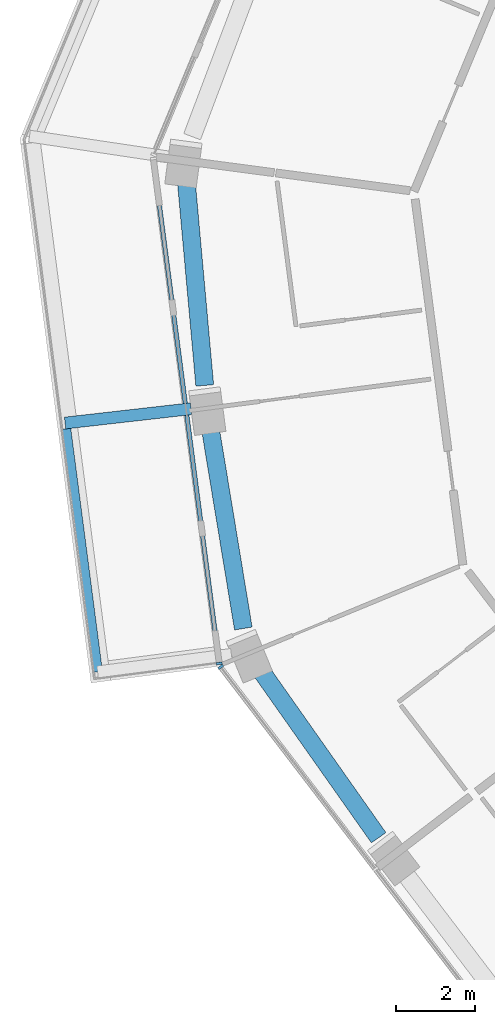
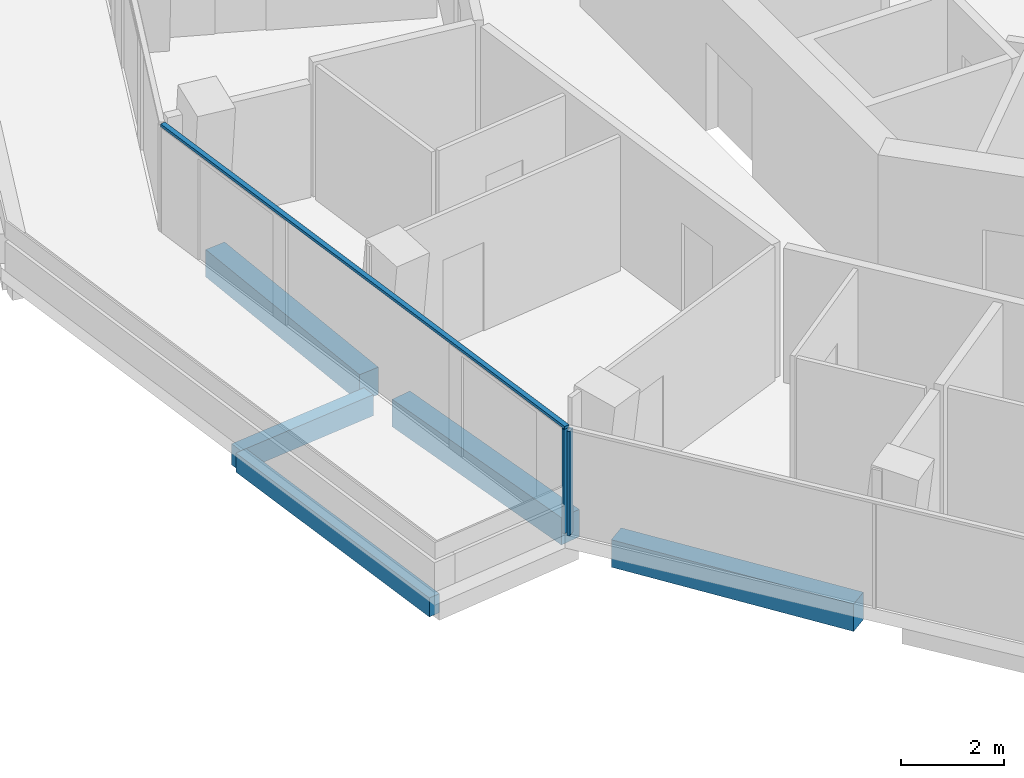
# One storey, part 4 of 25: 5 beams, 3 members, 2 elements without a shape of their own.
"""IFC4 building model written with IfcOpenShell, lengths in metres."""

from ifc_helpers import new_model, si_unit, direction, frame, origin, origin_2d, place, context, subcontext, project, spatial, rectangle, extrude, material, layer, layer_set, material_profile, profile_set, type_object, element, aggregate, save


model = new_model("IFC4")

# Units and contexts
model_context = context("Model", 3, precision=1e-05, world=origin(), true_north=direction((0.0, 1.0)))
body_context = subcontext(model_context, "Body", "Model", "MODEL_VIEW")
ifc_project = project(units=[si_unit("LENGTHUNIT", "METRE"), si_unit("AREAUNIT", "SQUARE_METRE"), si_unit("VOLUMEUNIT", "CUBIC_METRE"), si_unit("PLANEANGLEUNIT", "RADIAN"), si_unit("MASSUNIT", "GRAM", prefix="KILO")], contexts=[model_context])

# Site, building, storey
site_placement = place(None, origin())
site = spatial("IfcSite", under=ifc_project, at=site_placement, CompositionType="ELEMENT")
building_placement = place(site_placement, origin())
building = spatial("IfcBuilding", under=site, at=building_placement, Name="Verdalira Terraces Hotel", CompositionType="ELEMENT")
storey_placement = place(building_placement, frame((0.0, 0.0, 187.0)))
storey = spatial("IfcBuildingStorey", under=building, at=storey_placement, Name="L45", CompositionType="ELEMENT", Elevation=187.0)

# Beams
ifc_material_1 = material(Name="Concrete C40", Category="concrete")
ifc_material_profile_1 = material_profile(ifc_material_1, rectangle(XDim=0.300049, YDim=0.5, at=origin_2d()), Name="RC 300X500")
ifc_profile_set_1 = profile_set([ifc_material_profile_1], Name="Concrete C40")
beam_type_1 = type_object("IfcBeamType", Name="Balcony cantilever beam RC 300X500 C40", PredefinedType="BEAM", material=ifc_profile_set_1)
beam_1_placement = place(storey_placement, frame((-23.86084, -3.07373, -0.560059), z_axis=(-0.993608172, -0.112884017, 0.0), x_axis=(0.112884017, -0.993608172, 0.0)))
element("IfcBeam", 1, at=beam_1_placement, inside=storey, type_object=beam_type_1, Name="Balcony cantilever beam R11-1", PredefinedType="BEAM", context=body_context, shape_type="SweptSolid", body=[
    extrude(rectangle(XDim=0.300049, YDim=0.5, at=origin_2d()), origin(), (0.0, 0.0, 1.0), 3.200928),
])
ifc_material_2 = material(Name="Concrete C40", Category="concrete")
ifc_material_profile_2 = material_profile(ifc_material_2, rectangle(XDim=0.25, YDim=0.449951, at=origin_2d()), Name="RC 250X450")
ifc_profile_set_2 = profile_set([ifc_material_profile_2], Name="Concrete C40")
beam_type_2 = type_object("IfcBeamType", Name="Balcony edge beam RC 250X450 C40", PredefinedType="BEAM", material=ifc_profile_set_2)
beam_2_placement = place(storey_placement, frame((-27.021729, -3.58374, -0.534912), z_axis=(0.129485923, -0.99158126, 0.0), x_axis=(0.99158126, 0.129485923, 0.0)))
element("IfcBeam", 2, at=beam_2_placement, inside=storey, type_object=beam_type_2, Name="Balcony edge beam R11-1", PredefinedType="BEAM", context=body_context, shape_type="SweptSolid", body=[
    extrude(rectangle(XDim=0.25, YDim=0.449951, at=origin_2d()), origin(), (0.0, 0.0, 1.0), 6.187988),
])

# Curtain wall, member
ifc_material_3 = material(Name="Clear glass", Category="glass")
ifc_layer = layer(ifc_material_3, 0.14990234375)
ifc_layer_set = layer_set([ifc_layer], Name="CW1 curtain wall")
curtain_wall_type = type_object("IfcCurtainWallType", Name="CW1 curtain wall", PredefinedType="NOTDEFINED", material=ifc_layer_set)
curtain_wall_1_placement = place(storey_placement, origin())
curtain_wall_1 = element("IfcCurtainWall", 3, at=curtain_wall_1_placement, inside=storey, type_object=curtain_wall_type, Name="CW1 curtain wall L45 edge 12", PredefinedType="NOTDEFINED")
ifc_material_4 = material(Name="Terracotta frame", Category="masonry")
ifc_material_profile_3 = material_profile(ifc_material_4, rectangle(XDim=0.060059, YDim=0.149902, at=origin_2d()), Name="MU 60x150")
ifc_profile_set_3 = profile_set([ifc_material_profile_3], Name="Terracotta frame")
member_type_1 = type_object("IfcMemberType", Name="CW1 mullion 60x150", PredefinedType="MULLION", material=ifc_profile_set_3)
member_1_placement = place(storey_placement, frame((-23.147217, -9.50708, 0.0), z_axis=(0.0, 0.0, 1.0), x_axis=(0.129487882, -0.991581004, 0.0)))
member_1 = element("IfcMember", 4, at=member_1_placement, type_object=member_type_1, Name="CW1 mullion", PredefinedType="MULLION", context=body_context, shape_type="SweptSolid", body=[
    extrude(rectangle(XDim=0.060059, YDim=0.149902, at=origin_2d()), origin(), (0.0, 0.0, 1.0), 2.475098),
])

curtain_wall_2_placement = place(storey_placement, origin())
curtain_wall_2 = element("IfcCurtainWall", 5, at=curtain_wall_2_placement, inside=storey, type_object=curtain_wall_type, Name="CW1 curtain wall L45 edge 13", PredefinedType="NOTDEFINED")
member_2_placement = place(storey_placement, frame((-23.110107, -9.59668, 0.0), z_axis=(0.0, 0.0, 1.0), x_axis=(0.607930298, -0.793990399, 0.0)))
member_2 = element("IfcMember", 6, at=member_2_placement, type_object=member_type_1, Name="CW1 mullion", PredefinedType="MULLION", context=body_context, shape_type="SweptSolid", body=[
    extrude(rectangle(XDim=0.060059, YDim=0.149902, at=origin_2d()), origin(), (0.0, 0.0, 1.0), 2.475098),
])
aggregate(curtain_wall_2, [member_2])

# Member
ifc_material_5 = material(Name="Terracotta frame", Category="masonry")
ifc_material_profile_4 = material_profile(ifc_material_5, rectangle(XDim=0.110107, YDim=0.064941, at=origin_2d()), Name="TR 65x110")
ifc_profile_set_4 = profile_set([ifc_material_profile_4], Name="Terracotta frame")
member_type_2 = type_object("IfcMemberType", Name="CW1 transom 65x110", PredefinedType="USERDEFINED", material=ifc_profile_set_4)
member_3_placement = place(storey_placement, frame((-24.816162, 3.273926, 2.507568), z_axis=(0.129482175, -0.99158175, 0.0), x_axis=(0.99158175, 0.129482175, 0.0)))
member_3 = element("IfcMember", 7, at=member_3_placement, type_object=member_type_2, Name="CW1 transom", ObjectType="TRANSOM", PredefinedType="USERDEFINED", context=body_context, shape_type="SweptSolid", body=[
    extrude(rectangle(XDim=0.110107, YDim=0.064941, at=origin_2d()), origin(), (0.0, 0.0, 1.0), 12.919434),
])

aggregate(curtain_wall_1, [member_1, member_3])

# Beams
ifc_material_6 = material(Name="Concrete C50", Category="concrete")
ifc_material_profile_5 = material_profile(ifc_material_6, rectangle(XDim=0.449951, YDim=0.649902, at=origin_2d()), Name="RC 450X650")
ifc_profile_set_5 = profile_set([ifc_material_profile_5], Name="Concrete C50")
beam_type_3 = type_object("IfcBeamType", Name="Spandrel beam RC 450X650 C50", PredefinedType="SPANDREL", material=ifc_profile_set_5)
beam_3_placement = place(storey_placement, frame((-23.981445, 2.686035, -0.63501), z_axis=(0.090090587, -0.995933575, 0.0), x_axis=(0.995933575, 0.090090587, 0.0)))
element("IfcBeam", 8, at=beam_3_placement, inside=storey, type_object=beam_type_3, Name="Spandrel beam B06", PredefinedType="SPANDREL", context=body_context, shape_type="SweptSolid", body=[
    extrude(rectangle(XDim=0.449951, YDim=0.649902, at=origin_2d()), origin(), (0.0, 0.0, 1.0), 5.192139),
])
beam_4_placement = place(storey_placement, frame((-23.383301, -3.504639, -0.63501), z_axis=(0.162682225, -0.986678516, 0.0), x_axis=(0.986678516, 0.162682225, 0.0)))
element("IfcBeam", 9, at=beam_4_placement, inside=storey, type_object=beam_type_3, Name="Spandrel beam B07", PredefinedType="SPANDREL", context=body_context, shape_type="SweptSolid", body=[
    extrude(rectangle(XDim=0.449951, YDim=0.649902, at=origin_2d()), origin(), (0.0, 0.0, 1.0), 5.189453),
])
beam_5_placement = place(storey_placement, frame((-22.111572, -9.664551, -0.63501), z_axis=(0.575999951, -0.817449727, 0.0), x_axis=(0.817449727, 0.575999951, 0.0)))
element("IfcBeam", 10, at=beam_5_placement, inside=storey, type_object=beam_type_3, Name="Spandrel beam B08", PredefinedType="SPANDREL", context=body_context, shape_type="SweptSolid", body=[
    extrude(rectangle(XDim=0.449951, YDim=0.649902, at=origin_2d()), origin(), (0.0, 0.0, 1.0), 5.192139),
])

save(model, "model.ifc")
